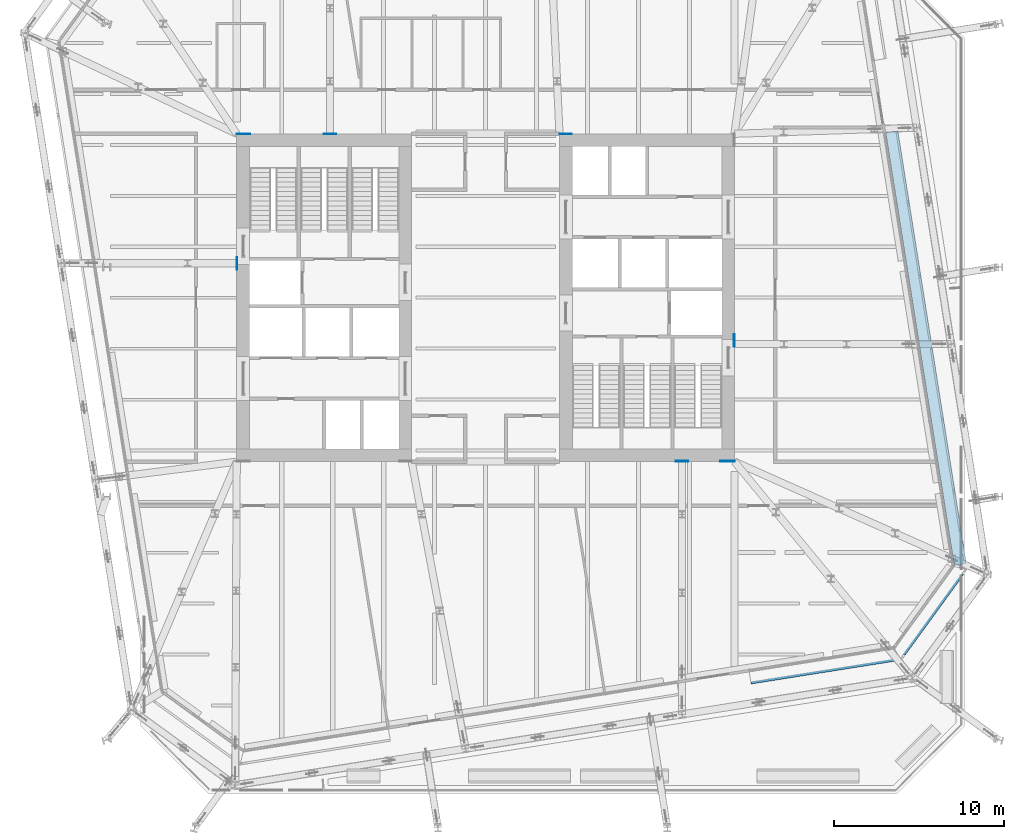
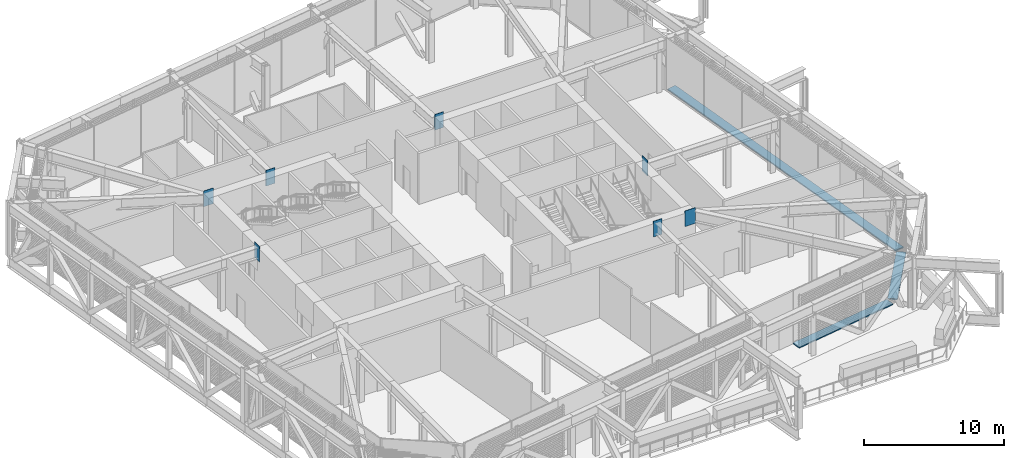
# One storey, part 23 of 32: 10 discrete accessories.
"""IFC4 building model written with IfcOpenShell, lengths in metres."""

from ifc_helpers import new_model, si_unit, direction, frame, origin, origin_2d, place, context, subcontext, project, spatial, rectangle, extrude, material, layer, layer_set, type_object, element, save


model = new_model("IFC4")

# Units and contexts
model_context = context("Model", 3, precision=1e-05, world=origin(), true_north=direction((0.0, 1.0)))
body_context = subcontext(model_context, "Body", "Model", "MODEL_VIEW")
ifc_project = project(units=[si_unit("LENGTHUNIT", "METRE"), si_unit("AREAUNIT", "SQUARE_METRE"), si_unit("VOLUMEUNIT", "CUBIC_METRE"), si_unit("PLANEANGLEUNIT", "RADIAN"), si_unit("MASSUNIT", "GRAM", prefix="KILO")], contexts=[model_context])

# Site, building, storey
site_placement = place(None, origin())
site = spatial("IfcSite", under=ifc_project, at=site_placement, CompositionType="ELEMENT")
building_placement = place(site_placement, origin())
building = spatial("IfcBuilding", under=site, at=building_placement, Name="Millrace Tower", CompositionType="ELEMENT")
storey_placement = place(building_placement, frame((0.0, 0.0, 124.89990234375)))
storey = spatial("IfcBuildingStorey", under=building, at=storey_placement, Name="L27", CompositionType="ELEMENT", Elevation=124.89990234375)

# Discrete accessories
ifc_material_1 = material(Name="Steel ASTM A572 Grade 50", Category="steel")
ifc_layer_1 = layer(ifc_material_1, 0.0400390625)
ifc_layer_set_1 = layer_set([ifc_layer_1], Name="Steel ASTM A572 Grade 50")
discrete_accessory_type_1 = type_object("IfcDiscreteAccessoryType", Name="Cast-in anchor plate 725x1360x40", PredefinedType="ANCHORPLATE", material=ifc_layer_set_1)
for number, where, z_axis, x_axis, name in (
    (1, (11.559814453125, -9.610107421875, 3.961181640625), (0.0, -1.0, 0.0), (1.0, 0.0, 0.0), "Cast-in anchor plate TRS-L27-C04-T04"),
    (2, (14.610107421875, -2.517578125, 3.961181640625), (1.0, 0.0, 0.0), (0.0, 1.0, 0.0), "Cast-in anchor plate TRS-L27-C07-T04"),
    (3, (4.71240234375, 9.610107421875, 3.961181640625), (0.0, 1.0, 0.0), (-1.0, 0.0, 0.0), "Cast-in anchor plate TRS-L27-C11-T04"),
    (4, (-9.15966796875, 9.610107421875, 3.961181640625), (0.0, 1.0, 0.0), (-1.0, 0.0, 0.0), "Cast-in anchor plate TRS-L27-C12-T04"),
    (5, (-14.610107421875, 2.017578125, 3.961181640625), (-1.0, 0.0, 0.0), (0.0, -1.0, 0.0), "Cast-in anchor plate TRS-L27-C15-T03"),
):
    element("IfcDiscreteAccessory", number, at=place(storey_placement, frame(where, z_axis=z_axis, x_axis=x_axis)), inside=storey, type_object=discrete_accessory_type_1, Name=name, PredefinedType="ANCHORPLATE", context=body_context, shape_type="SweptSolid", body=[
        extrude(rectangle(XDim=0.72509765625, YDim=1.360107421875, at=origin_2d()), origin(), (0.0, 0.0, 1.0), 0.039794921875),
    ])
ifc_material_2 = material(Name="Steel ASTM A572 Grade 50", Category="steel")
ifc_layer_2 = layer(ifc_material_2, 0.0400390625)
ifc_layer_set_2 = layer_set([ifc_layer_2], Name="Steel ASTM A572 Grade 50")
discrete_accessory_type_2 = type_object("IfcDiscreteAccessoryType", Name="Cast-in anchor plate 810x1360x40", PredefinedType="ANCHORPLATE", material=ifc_layer_set_2)
discrete_accessory_1_placement = place(storey_placement, frame((-14.2451171875, 9.610107421875, 3.961181640625), z_axis=(0.0, 1.0, 0.0), x_axis=(-1.0, 0.0, 0.0)))
element("IfcDiscreteAccessory", 6, at=discrete_accessory_1_placement, inside=storey, type_object=discrete_accessory_type_2, Name="Cast-in anchor plate TRS-L27-C13-T04", PredefinedType="ANCHORPLATE", context=body_context, shape_type="SweptSolid", body=[
    extrude(rectangle(XDim=0.81005859375, YDim=1.360107421875, at=origin_2d()), origin(), (0.0, 0.0, 1.0), 0.039794921875),
])
ifc_material_3 = material(Name="Steel ASTM A572 Grade 50", Category="steel")
ifc_layer_3 = layer(ifc_material_3, 0.0400390625)
ifc_layer_set_3 = layer_set([ifc_layer_3], Name="Steel ASTM A572 Grade 50")
discrete_accessory_type_3 = type_object("IfcDiscreteAccessoryType", Name="Cast-in anchor plate 850x1360x40", PredefinedType="ANCHORPLATE", material=ifc_layer_set_3)
discrete_accessory_2_placement = place(storey_placement, frame((14.22509765625, -9.610107421875, 3.961181640625), z_axis=(0.0, -1.0, 0.0), x_axis=(1.0, 0.0, 0.0)))
element("IfcDiscreteAccessory", 7, at=discrete_accessory_2_placement, inside=storey, type_object=discrete_accessory_type_3, Name="Cast-in anchor plate TRS-L27-C05-T04", PredefinedType="ANCHORPLATE", context=body_context, shape_type="SweptSolid", body=[
    extrude(rectangle(XDim=0.85009765625, YDim=1.360107421875, at=origin_2d()), origin(), (0.0, 0.0, 1.0), 0.039794921875),
])
ifc_material_4 = material(Name="Stainless steel ASTM A240 type 316", Category="steel")
discrete_accessory_type_4 = type_object("IfcDiscreteAccessoryType", Name="Thermally broken screen support rail", PredefinedType="BRACKET", material=ifc_material_4)
discrete_accessory_3_placement = place(storey_placement, frame((19.82080078125, -21.7099609375, 0.0), z_axis=(0.0, 0.0, 1.0), x_axis=(0.98768833929, 0.15643447328, 0.0)))
element("IfcDiscreteAccessory", 8, at=discrete_accessory_3_placement, inside=storey, type_object=discrete_accessory_type_4, Name="Thermally broken screen support rail C-F02 L27 3", PredefinedType="BRACKET", context=body_context, shape_type="SweptSolid", body=[
    extrude(rectangle(XDim=8.60009765625, YDim=0.719970703125, at=origin_2d()), origin(), (0.0, 0.0, 1.0), 0.10009765625),
])
discrete_accessory_4_placement = place(storey_placement, frame((26.12548828125, -18.45947265625, 0.0), z_axis=(0.0, 0.0, 1.0), x_axis=(0.587785269844, 0.809016981623, 0.0)))
element("IfcDiscreteAccessory", 9, at=discrete_accessory_4_placement, inside=storey, type_object=discrete_accessory_type_4, Name="Thermally broken screen support rail C-F03 L27 1", PredefinedType="BRACKET", context=body_context, shape_type="SweptSolid", body=[
    extrude(rectangle(XDim=5.868896484375, YDim=0.719970703125, at=origin_2d()), origin(), (0.0, 0.0, 1.0), 0.10009765625),
])
discrete_accessory_5_placement = place(storey_placement, frame((25.92333984375, -2.964599609375, 0.0), z_axis=(0.0, 0.0, 1.0), x_axis=(-0.15643447328, 0.98768833929, 0.0)))
element("IfcDiscreteAccessory", 10, at=discrete_accessory_5_placement, inside=storey, type_object=discrete_accessory_type_4, Name="Thermally broken screen support rail C-F04 L27 1", PredefinedType="BRACKET", context=body_context, shape_type="SweptSolid", body=[
    extrude(rectangle(XDim=25.800048828125, YDim=0.719970703125, at=origin_2d()), origin(), (0.0, 0.0, 1.0), 0.10009765625),
])

save(model, "model.ifc")
